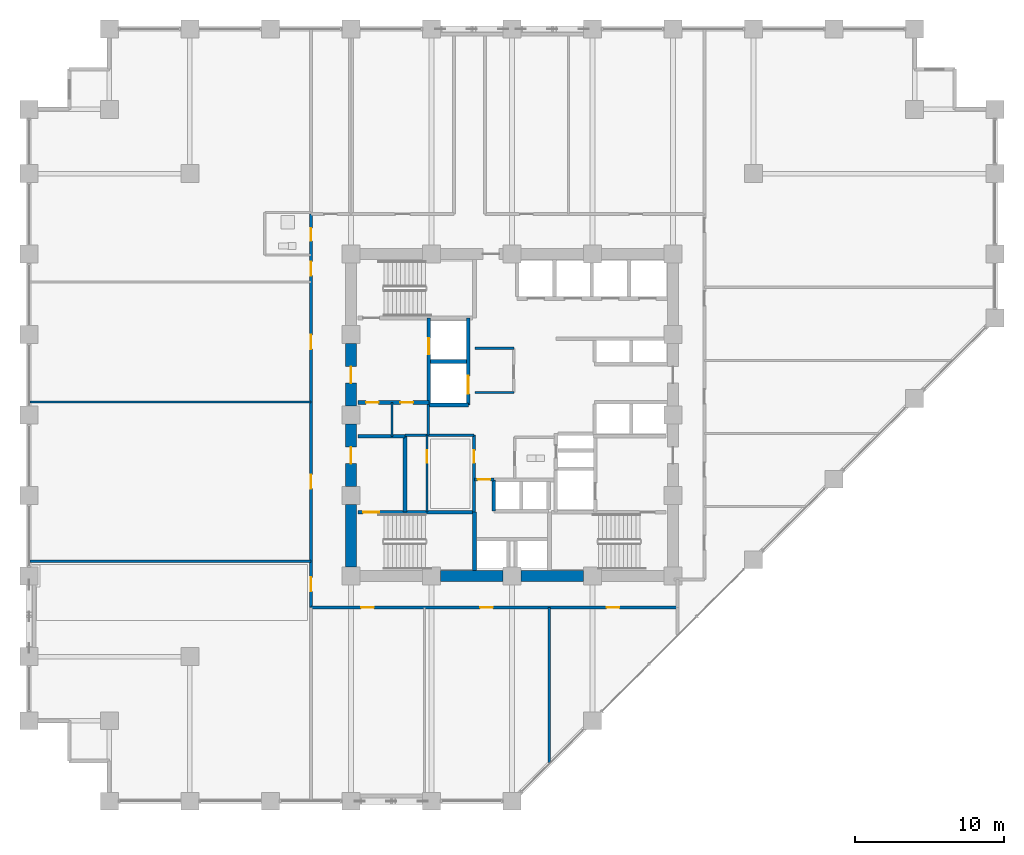
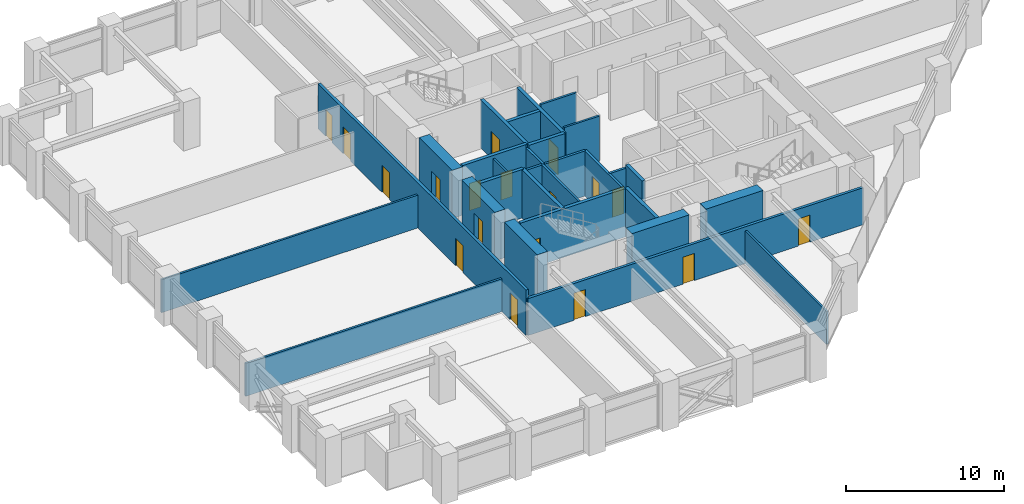
# One storey, part 20 of 26: 28 walls, 18 doors, 18 openings.
"""IFC4 building model written with IfcOpenShell, lengths in metres."""

from ifc_helpers import new_model, si_unit, direction, frame, frame_2d, origin, place, context, subcontext, project, spatial, rectangle, extrude, material, layer, layer_set, type_object, element, fill, save


model = new_model("IFC4")

# Units and contexts
model_context = context("Model", 3, precision=1e-05, world=origin(), true_north=direction((0.0, 1.0)))
body_context = subcontext(model_context, "Body", "Model", "MODEL_VIEW")
ifc_project = project(units=[si_unit("LENGTHUNIT", "METRE"), si_unit("AREAUNIT", "SQUARE_METRE"), si_unit("VOLUMEUNIT", "CUBIC_METRE"), si_unit("PLANEANGLEUNIT", "RADIAN"), si_unit("MASSUNIT", "GRAM", prefix="KILO")], contexts=[model_context])

# Site, building, storey
site_placement = place(None, origin())
site = spatial("IfcSite", under=ifc_project, at=site_placement, CompositionType="ELEMENT")
building_placement = place(site_placement, origin())
building = spatial("IfcBuilding", under=site, at=building_placement, Name="Surkhivell Harbour Commons", CompositionType="ELEMENT")
storey_placement = place(building_placement, frame((0.0, 0.0, 75.0)))
storey = spatial("IfcBuildingStorey", under=building, at=storey_placement, Name="L19", CompositionType="ELEMENT", Elevation=75.0)

# Walls
ifc_material_1 = material(Name="Concrete C60/75", Category="concrete")
ifc_layer_1 = layer(ifc_material_1, 0.75)
ifc_layer_set_1 = layer_set([ifc_layer_1], Name="Concrete C60/75")
wall_type_1 = type_object("IfcWallType", Name="WAL-CORE-750", PredefinedType="SHEAR", material=ifc_layer_set_1)
for number, where, z_axis, x_axis, name in (
    (1, (-10.800048828125, -10.18994140625, 0.0), (0.0, 0.0, 1.0), (0.0, 1.0, 0.0), "L19 Core Shear Wall West 1"),
    (2, (-4.7900390625, -10.800048828125, 0.0), (0.0, 0.0, 1.0), (1.0, 0.0, 0.0), "L19 Core Shear Wall South 2"),
):
    element("IfcWall", number, at=place(storey_placement, frame(where, z_axis=z_axis, x_axis=x_axis)), inside=storey, type_object=wall_type_1, Name=name, PredefinedType="SHEAR", context=body_context, shape_type="SweptSolid", body=[
        extrude(rectangle(XDim=4.179931640625, YDim=0.75, at=frame_2d((2.08984375, 0.0))), origin(), (0.0, 0.0, 1.0), 3.75),
    ])

# Wall, opening, door
wall_1_placement = place(storey_placement, frame((-10.800048828125, -4.7900390625, 0.0), z_axis=(0.0, 0.0, 1.0), x_axis=(0.0, 1.0, 0.0)))
wall_1 = element("IfcWall", 3, at=wall_1_placement, inside=storey, type_object=wall_type_1, Name="L19 Core Shear Wall West 2", PredefinedType="SHEAR", context=body_context, shape_type="SweptSolid", body=[
    extrude(rectangle(XDim=4.179931640625, YDim=0.75, at=frame_2d((2.08984375, 0.0))), origin(), (0.0, 0.0, 1.0), 3.75),
])
opening_1_placement = place(wall_1_placement, frame((1.5400390625, 0.0, 0.0)))
opening_1 = element("IfcOpeningElement", 4, at=opening_1_placement, cuts=wall_1, Name="Opening ID-2", PredefinedType="OPENING", context=body_context, shape_type="SweptSolid", body=[
    extrude(rectangle(XDim=1.10009765625, YDim=2.10009765625, at=frame_2d((0.550048828125, 1.050048828125))), frame((0.0, 0.385009765625, 0.0), z_axis=(0.0, -1.0, 0.0), x_axis=(1.0, 0.0, 0.0)), (0.0, 0.0, 1.0), 0.77001953125),
])
ifc_material_2 = material(Name="Hardwood-veneered fire-rated door leaf", Category="wood")
door_type_1 = type_object("IfcDoorType", Name="DOR-FD60-1100", OperationType="NOTDEFINED", PredefinedType="DOOR", material=ifc_material_2)
door_1_placement = place(opening_1_placement, origin())
door_1 = element("IfcDoor", 5, at=door_1_placement, inside=storey, type_object=door_type_1, Name="L19 Stair 3 Lobby Corridor Door", OperationType="SINGLE_SWING_LEFT", OverallHeight=2.10009765625, OverallWidth=1.10009765625, PredefinedType="DOOR", context=body_context, shape_type="SweptSolid", body=[
    extrude(rectangle(XDim=1.10009765625, YDim=2.10009765625, at=frame_2d((0.550048828125, 1.050048828125))), frame((0.0, 0.02490234375, 0.0), z_axis=(0.0, -1.0, 0.0), x_axis=(1.0, 0.0, 0.0)), (0.0, 0.0, 1.0), 0.050048828125),
])
fill(opening_1, door_1)

# Wall
wall_2_placement = place(storey_placement, frame((0.610107421875, -10.800048828125, 0.0), z_axis=(0.0, 0.0, 1.0), x_axis=(1.0, 0.0, 0.0)))
element("IfcWall", 6, at=wall_2_placement, inside=storey, type_object=wall_type_1, Name="L19 Core Shear Wall South 3", PredefinedType="SHEAR", context=body_context, shape_type="SweptSolid", body=[
    extrude(rectangle(XDim=4.179931640625, YDim=0.75, at=frame_2d((2.08984375, 0.0))), origin(), (0.0, 0.0, 1.0), 3.75),
])

# Wall, opening, door
wall_3_placement = place(storey_placement, frame((-10.800048828125, 0.610107421875, 0.0), z_axis=(0.0, 0.0, 1.0), x_axis=(0.0, 1.0, 0.0)))
wall_3 = element("IfcWall", 7, at=wall_3_placement, inside=storey, type_object=wall_type_1, Name="L19 Core Shear Wall West 3", PredefinedType="SHEAR", context=body_context, shape_type="SweptSolid", body=[
    extrude(rectangle(XDim=4.179931640625, YDim=0.75, at=frame_2d((2.08984375, 0.0))), origin(), (0.0, 0.0, 1.0), 3.75),
])
opening_2_placement = place(wall_3_placement, frame((1.5400390625, 0.0, 0.0)))
opening_2 = element("IfcOpeningElement", 8, at=opening_2_placement, cuts=wall_3, Name="Opening ID-1", PredefinedType="OPENING", context=body_context, shape_type="SweptSolid", body=[
    extrude(rectangle(XDim=1.10009765625, YDim=2.10009765625, at=frame_2d((0.550048828125, 1.050048828125))), frame((0.0, 0.385009765625, 0.0), z_axis=(0.0, -1.0, 0.0), x_axis=(1.0, 0.0, 0.0)), (0.0, 0.0, 1.0), 0.77001953125),
])
door_type_2 = type_object("IfcDoorType", Name="DOR-FD120-1100", OperationType="NOTDEFINED", PredefinedType="DOOR", material=ifc_material_2)
door_2_placement = place(opening_2_placement, origin())
door_2 = element("IfcDoor", 9, at=door_2_placement, inside=storey, type_object=door_type_2, Name="L19 Firefighting Lobby 1 Corridor Door", OperationType="SINGLE_SWING_LEFT", OverallHeight=2.10009765625, OverallWidth=1.10009765625, PredefinedType="DOOR", context=body_context, shape_type="SweptSolid", body=[
    extrude(rectangle(XDim=1.10009765625, YDim=2.10009765625, at=frame_2d((0.550048828125, 1.050048828125))), frame((0.0, 0.02490234375, 0.0), z_axis=(0.0, -1.0, 0.0), x_axis=(1.0, 0.0, 0.0)), (0.0, 0.0, 1.0), 0.050048828125),
])
fill(opening_2, door_2)

ifc_material_3 = material(Name="Twin-stud acoustic fireboard partition", Category="other")
ifc_layer_2 = layer(ifc_material_3, 0.14990234375)
ifc_layer_set_2 = layer_set([ifc_layer_2], Name="Twin-stud acoustic fireboard partition")
wall_type_2 = type_object("IfcWallType", Name="WAL-INT-150", PredefinedType="PARTITIONING", material=ifc_layer_set_2)
wall_4_placement = place(storey_placement, frame((-5.699951171875, -6.510009765625, 0.0), z_axis=(0.0, 0.0, 1.0), x_axis=(0.0, 1.0, 0.0)))
wall_4 = element("IfcWall", 10, at=wall_4_placement, inside=storey, type_object=wall_type_2, Name="L19 Core Cut B Partition", PredefinedType="PARTITIONING", context=body_context, shape_type="SweptSolid", body=[
    extrude(rectangle(XDim=5.159912109375, YDim=0.14990234375, at=frame_2d((2.580078125, 0.0))), origin(), (0.0, 0.0, 1.0), 3.5),
])
opening_3_placement = place(wall_4_placement, frame((3.300048828125, 0.0, 0.0)))
opening_3 = element("IfcOpeningElement", 11, at=opening_3_placement, cuts=wall_4, Name="Opening ID-6", PredefinedType="OPENING", context=body_context, shape_type="SweptSolid", body=[
    extrude(rectangle(XDim=0.85009765625, YDim=2.10009765625, at=frame_2d((0.425048828125, 1.050048828125))), frame((0.0, 0.0849609375, 0.0), z_axis=(0.0, -1.0, 0.0), x_axis=(1.0, 0.0, 0.0)), (0.0, 0.0, 1.0), 0.169921875),
])
door_type_3 = type_object("IfcDoorType", Name="DOR-FD30-850", OperationType="NOTDEFINED", PredefinedType="DOOR", material=ifc_material_2)
door_3_placement = place(opening_3_placement, origin())
door_3 = element("IfcDoor", 12, at=door_3_placement, inside=storey, type_object=door_type_3, Name="L19 Core Focus Study Door", OperationType="SINGLE_SWING_RIGHT", OverallHeight=2.10009765625, OverallWidth=0.85009765625, PredefinedType="DOOR", context=body_context, shape_type="SweptSolid", body=[
    extrude(rectangle(XDim=0.85009765625, YDim=2.10009765625, at=frame_2d((0.425048828125, 1.050048828125))), frame((0.0, 0.02490234375, 0.0), z_axis=(0.0, -1.0, 0.0), x_axis=(1.0, 0.0, 0.0)), (0.0, 0.0, 1.0), 0.050048828125),
])
fill(opening_3, door_3)

# Walls
wall_5_placement = place(storey_placement, frame((-8.050048828125, -1.419921875, 0.0), z_axis=(0.0, 0.0, 1.0), x_axis=(0.0, 1.0, 0.0)))
element("IfcWall", 13, at=wall_5_placement, inside=storey, type_object=wall_type_2, Name="L19 West Seminar Booth Divider", PredefinedType="PARTITIONING", context=body_context, shape_type="SweptSolid", body=[
    extrude(rectangle(XDim=2.27001953125, YDim=0.14990234375, at=frame_2d((1.135009765625, 0.0))), origin(), (0.0, 0.0, 1.0), 3.5),
])
for number, where, z_axis, x_axis, name in (
    (14, (-2.47998046875, 4.47998046875, 0.0), (0.0, 0.0, 1.0), (1.0, 0.0, 0.0), "L19 Central Reading North Wall"),
    (15, (-2.47998046875, 1.52001953125, 0.0), (0.0, 0.0, 1.0), (1.0, 0.0, 0.0), "L19 Central Reading South Wall"),
):
    element("IfcWall", number, at=place(storey_placement, frame(where, z_axis=z_axis, x_axis=x_axis)), inside=storey, type_object=wall_type_2, Name=name, PredefinedType="PARTITIONING", context=body_context, shape_type="SweptSolid", body=[
        extrude(rectangle(XDim=2.60009765625, YDim=0.14990234375, at=frame_2d((1.300048828125, 0.0))), origin(), (0.0, 0.0, 1.0), 3.5),
    ])
wall_6_placement = place(storey_placement, frame((2.5, -23.315185546875, 0.0), z_axis=(0.0, 0.0, 1.0), x_axis=(0.0, 1.0, 0.0)))
element("IfcWall", 16, at=wall_6_placement, inside=storey, type_object=wall_type_2, Name="L19 South Partition P2", PredefinedType="PARTITIONING", context=body_context, shape_type="SweptSolid", body=[
    extrude(rectangle(XDim=10.415283203125, YDim=0.14990234375, at=frame_2d((5.20751953125, 0.0))), origin(), (0.0, 0.0, 1.0), 2.552978515625),
])
for number, where, z_axis, x_axis, name in (
    (17, (-32.340087890625, 0.8798828125, 0.0), (0.0, 0.0, 1.0), (1.0, 0.0, 0.0), "L19 West Partition BDP1"),
    (18, (-32.340087890625, -9.800048828125, 0.0), (0.0, 0.0, 1.0), (1.0, 0.0, 0.0), "L19 West Partition PBOT"),
):
    element("IfcWall", number, at=place(storey_placement, frame(where, z_axis=z_axis, x_axis=x_axis)), inside=storey, type_object=wall_type_2, Name=name, PredefinedType="PARTITIONING", context=body_context, shape_type="SweptSolid", body=[
        extrude(rectangle(XDim=18.860107421875, YDim=0.14990234375, at=frame_2d((9.43017578125, 0.0))), origin(), (0.0, 0.0, 1.0), 2.552978515625),
    ])

# Wall, opening, door
ifc_material_4 = material(Name="High-density acoustic blockwork fire partition", Category="masonry")
ifc_layer_3 = layer(ifc_material_4, 0.175048828125)
ifc_layer_set_3 = layer_set([ifc_layer_3], Name="High-density acoustic blockwork fire partition")
wall_type_3 = type_object("IfcWallType", Name="WAL-INT-175", PredefinedType="PARTITIONING", material=ifc_layer_set_3)
wall_7_placement = place(storey_placement, frame((-2.550048828125, -6.510009765625, 0.0), z_axis=(0.0, 0.0, 1.0), x_axis=(0.0, 1.0, 0.0)))
wall_7 = element("IfcWall", 19, at=wall_7_placement, inside=storey, type_object=wall_type_3, Name="L19 Core Service Bay East Wall", PredefinedType="PARTITIONING", context=body_context, shape_type="SweptSolid", body=[
    extrude(rectangle(XDim=5.159912109375, YDim=0.175048828125, at=frame_2d((2.580078125, 0.0))), origin(), (0.0, 0.0, 1.0), 3.5),
])
opening_4_placement = place(wall_7_placement, frame((3.300048828125, 0.0, 0.0)))
opening_4 = element("IfcOpeningElement", 20, at=opening_4_placement, cuts=wall_7, Name="Opening ID-6", PredefinedType="OPENING", context=body_context, shape_type="SweptSolid", body=[
    extrude(rectangle(XDim=0.85009765625, YDim=2.10009765625, at=frame_2d((0.425048828125, 1.050048828125))), frame((0.0, 0.097412109375, 0.0), z_axis=(0.0, -1.0, 0.0), x_axis=(1.0, 0.0, 0.0)), (0.0, 0.0, 1.0), 0.195068359375),
])
door_4_placement = place(opening_4_placement, origin())
door_4 = element("IfcDoor", 21, at=door_4_placement, inside=storey, type_object=door_type_3, Name="L19 Core Music Door", OperationType="SINGLE_SWING_LEFT", OverallHeight=2.10009765625, OverallWidth=0.85009765625, PredefinedType="DOOR", context=body_context, shape_type="SweptSolid", body=[
    extrude(rectangle(XDim=0.85009765625, YDim=2.10009765625, at=frame_2d((0.425048828125, 1.050048828125))), frame((0.0, 0.02490234375, 0.0), z_axis=(0.0, -1.0, 0.0), x_axis=(1.0, 0.0, 0.0)), (0.0, 0.0, 1.0), 0.050048828125),
])
fill(opening_4, door_4)

# Walls
wall_8_placement = place(storey_placement, frame((-7.179931640625, -1.35009765625, 0.0), z_axis=(0.0, 0.0, 1.0), x_axis=(1.0, 0.0, 0.0)))
element("IfcWall", 22, at=wall_8_placement, inside=storey, type_object=wall_type_3, Name="L19 Core Service Bay North Wall", PredefinedType="PARTITIONING", context=body_context, shape_type="SweptSolid", body=[
    extrude(rectangle(XDim=4.6298828125, YDim=0.175048828125, at=frame_2d((2.31494140625, 0.0))), origin(), (0.0, 0.0, 1.0), 3.5),
])
wall_9_placement = place(storey_placement, frame((-5.6201171875, -1.35009765625, 0.0), z_axis=(0.0, 0.0, 1.0), x_axis=(0.0, 1.0, 0.0)))
element("IfcWall", 23, at=wall_9_placement, inside=storey, type_object=wall_type_3, Name="L19 West Core Bay East Wall", PredefinedType="PARTITIONING", context=body_context, shape_type="SweptSolid", body=[
    extrude(rectangle(XDim=2.070068359375, YDim=0.175048828125, at=frame_2d((1.03515625, 0.0))), origin(), (0.0, 0.0, 1.0), 3.5),
])

# Wall, opening, door
wall_10_placement = place(storey_placement, frame((-2.52001953125, -4.320068359375, 0.0), z_axis=(0.0, 0.0, 1.0), x_axis=(1.0, 0.0, 0.0)))
wall_10 = element("IfcWall", 24, at=wall_10_placement, inside=storey, type_object=wall_type_3, Name="L19 High-Rise Lobby North Portal Wall", PredefinedType="PARTITIONING", context=body_context, shape_type="SweptSolid", body=[
    extrude(rectangle(XDim=1.300048828125, YDim=0.175048828125, at=frame_2d((0.64990234375, 0.0))), origin(), (0.0, 0.0, 1.0), 3.5),
])
opening_5_placement = place(wall_10_placement, frame((0.219970703125, 0.0, 0.0)))
opening_5 = element("IfcOpeningElement", 25, at=opening_5_placement, cuts=wall_10, Name="Opening ID-6", PredefinedType="OPENING", context=body_context, shape_type="SweptSolid", body=[
    extrude(rectangle(XDim=0.85009765625, YDim=2.10009765625, at=frame_2d((0.425048828125, 1.050048828125))), frame((0.0, 0.097412109375, 0.0), z_axis=(0.0, -1.0, 0.0), x_axis=(1.0, 0.0, 0.0)), (0.0, 0.0, 1.0), 0.195068359375),
])
door_5_placement = place(opening_5_placement, origin())
door_5 = element("IfcDoor", 26, at=door_5_placement, inside=storey, type_object=door_type_3, Name="L19 High-Rise Lift Lobby North Door", OperationType="SINGLE_SWING_LEFT", OverallHeight=2.10009765625, OverallWidth=0.85009765625, PredefinedType="DOOR", context=body_context, shape_type="SweptSolid", body=[
    extrude(rectangle(XDim=0.85009765625, YDim=2.10009765625, at=frame_2d((0.425048828125, 1.050048828125))), frame((0.0, 0.02490234375, 0.0), z_axis=(0.0, -1.0, 0.0), x_axis=(1.0, 0.0, 0.0)), (0.0, 0.0, 1.0), 0.050048828125),
])
fill(opening_5, door_5)

# Wall, openings, doors
ifc_material_5 = material(Name="Autoclaved aerated concrete blockwork and fire plaster", Category="masonry")
ifc_layer_4 = layer(ifc_material_5, 0.199951171875)
ifc_layer_set_4 = layer_set([ifc_layer_4], Name="Autoclaved aerated concrete blockwork and fire plaster")
wall_type_4 = type_object("IfcWallType", Name="WAL-INT-200", PredefinedType="PARTITIONING", material=ifc_layer_set_4)
wall_11_placement = place(storey_placement, frame((-13.47998046875, -12.89990234375, 0.0), z_axis=(0.0, 0.0, 1.0), x_axis=(1.0, 0.0, 0.0)))
wall_11 = element("IfcWall", 27, at=wall_11_placement, inside=storey, type_object=wall_type_4, Name="L19 Corridor South Wall", PredefinedType="PARTITIONING", context=body_context, shape_type="SweptSolid", body=[
    extrude(rectangle(XDim=24.580078125, YDim=0.199951171875, at=frame_2d((12.2900390625, 0.0))), origin(), (0.0, 0.0, 1.0), 2.860107421875),
])
opening_6_placement = place(wall_11_placement, frame((3.360107421875, 0.0, 0.0)))
opening_6 = element("IfcOpeningElement", 28, at=opening_6_placement, cuts=wall_11, Name="Opening ID-6", PredefinedType="OPENING", context=body_context, shape_type="SweptSolid", body=[
    extrude(rectangle(XDim=0.85009765625, YDim=2.10009765625, at=frame_2d((0.425048828125, 1.050048828125))), frame((0.0, 0.10986328125, 0.0), z_axis=(0.0, -1.0, 0.0), x_axis=(1.0, 0.0, 0.0)), (0.0, 0.0, 1.0), 0.219970703125),
])
opening_7_placement = place(wall_11_placement, frame((11.35009765625, 0.0, 0.0)))
opening_7 = element("IfcOpeningElement", 29, at=opening_7_placement, cuts=wall_11, Name="Opening ID-6", PredefinedType="OPENING", context=body_context, shape_type="SweptSolid", body=[
    extrude(rectangle(XDim=0.85009765625, YDim=2.10009765625, at=frame_2d((0.425048828125, 1.050048828125))), frame((0.0, 0.10986328125, 0.0), z_axis=(0.0, -1.0, 0.0), x_axis=(1.0, 0.0, 0.0)), (0.0, 0.0, 1.0), 0.219970703125),
])
opening_8_placement = place(wall_11_placement, frame((19.830078125, 0.0, 0.0)))
opening_8 = element("IfcOpeningElement", 30, at=opening_8_placement, cuts=wall_11, Name="Opening ID-6", PredefinedType="OPENING", context=body_context, shape_type="SweptSolid", body=[
    extrude(rectangle(XDim=0.85009765625, YDim=2.10009765625, at=frame_2d((0.425048828125, 1.050048828125))), frame((0.0, 0.10986328125, 0.0), z_axis=(0.0, -1.0, 0.0), x_axis=(1.0, 0.0, 0.0)), (0.0, 0.0, 1.0), 0.219970703125),
])
door_6_placement = place(opening_6_placement, origin())
door_6 = element("IfcDoor", 31, at=door_6_placement, inside=storey, type_object=door_type_3, Name="L19 Harbour Espresso Cafe Shop 1 South Door", OperationType="SINGLE_SWING_LEFT", OverallHeight=2.10009765625, OverallWidth=0.85009765625, PredefinedType="DOOR", context=body_context, shape_type="SweptSolid", body=[
    extrude(rectangle(XDim=0.85009765625, YDim=2.10009765625, at=frame_2d((0.425048828125, 1.050048828125))), frame((0.0, 0.02490234375, 0.0), z_axis=(0.0, -1.0, 0.0), x_axis=(1.0, 0.0, 0.0)), (0.0, 0.0, 1.0), 0.050048828125),
])
fill(opening_6, door_6)
door_7_placement = place(opening_7_placement, origin())
door_7 = element("IfcDoor", 32, at=door_7_placement, inside=storey, type_object=door_type_3, Name="L19 Campus Bakery Cafe Shop 2 South Door", OperationType="SINGLE_SWING_RIGHT", OverallHeight=2.10009765625, OverallWidth=0.85009765625, PredefinedType="DOOR", context=body_context, shape_type="SweptSolid", body=[
    extrude(rectangle(XDim=0.85009765625, YDim=2.10009765625, at=frame_2d((0.425048828125, 1.050048828125))), frame((0.0, 0.02490234375, 0.0), z_axis=(0.0, -1.0, 0.0), x_axis=(1.0, 0.0, 0.0)), (0.0, 0.0, 1.0), 0.050048828125),
])
fill(opening_7, door_7)
door_8_placement = place(opening_8_placement, origin())
door_8 = element("IfcDoor", 33, at=door_8_placement, inside=storey, type_object=door_type_3, Name="L19 Stationery Supply Shop 3 South Door", OperationType="SINGLE_SWING_LEFT", OverallHeight=2.10009765625, OverallWidth=0.85009765625, PredefinedType="DOOR", context=body_context, shape_type="SweptSolid", body=[
    extrude(rectangle(XDim=0.85009765625, YDim=2.10009765625, at=frame_2d((0.425048828125, 1.050048828125))), frame((0.0, 0.02490234375, 0.0), z_axis=(0.0, -1.0, 0.0), x_axis=(1.0, 0.0, 0.0)), (0.0, 0.0, 1.0), 0.050048828125),
])
fill(opening_8, door_8)

wall_12_placement = place(storey_placement, frame((-13.47998046875, -12.89990234375, 0.0), z_axis=(0.0, 0.0, 1.0), x_axis=(0.0, 1.0, 0.0)))
wall_12 = element("IfcWall", 34, at=wall_12_placement, inside=storey, type_object=wall_type_4, Name="L19 Corridor West Wall", PredefinedType="PARTITIONING", context=body_context, shape_type="SweptSolid", body=[
    extrude(rectangle(XDim=26.3798828125, YDim=0.199951171875, at=frame_2d((13.18994140625, 0.0))), origin(), (0.0, 0.0, 1.0), 3.5),
])
opening_9_placement = place(wall_12_placement, frame((1.070068359375, 0.0, 0.0)))
opening_9 = element("IfcOpeningElement", 35, at=opening_9_placement, cuts=wall_12, Name="Opening ID-4", PredefinedType="OPENING", context=body_context, shape_type="SweptSolid", body=[
    extrude(rectangle(XDim=0.949951171875, YDim=2.10009765625, at=frame_2d((0.47509765625, 1.050048828125))), frame((0.0, 0.10986328125, 0.0), z_axis=(0.0, -1.0, 0.0), x_axis=(1.0, 0.0, 0.0)), (0.0, 0.0, 1.0), 0.219970703125),
])
opening_10_placement = place(wall_12_placement, frame((24.5849609375, 0.0, 0.0)))
opening_10 = element("IfcOpeningElement", 36, at=opening_10_placement, cuts=wall_12, Name="Opening ID-6", PredefinedType="OPENING", context=body_context, shape_type="SweptSolid", body=[
    extrude(rectangle(XDim=0.85009765625, YDim=2.10009765625, at=frame_2d((0.425048828125, 1.050048828125))), frame((0.0, 0.10986328125, 0.0), z_axis=(0.0, -1.0, 0.0), x_axis=(1.0, 0.0, 0.0)), (0.0, 0.0, 1.0), 0.219970703125),
])
opening_11_placement = place(wall_12_placement, frame((22.25, 0.0, 0.0)))
opening_11 = element("IfcOpeningElement", 37, at=opening_11_placement, cuts=wall_12, Name="Opening ID-4", PredefinedType="OPENING", context=body_context, shape_type="SweptSolid", body=[
    extrude(rectangle(XDim=0.949951171875, YDim=2.10009765625, at=frame_2d((0.47509765625, 1.050048828125))), frame((0.0, 0.10986328125, 0.0), z_axis=(0.0, -1.0, 0.0), x_axis=(1.0, 0.0, 0.0)), (0.0, 0.0, 1.0), 0.219970703125),
])
opening_12_placement = place(wall_12_placement, frame((7.9599609375, 0.0, 0.0)))
opening_12 = element("IfcOpeningElement", 38, at=opening_12_placement, cuts=wall_12, Name="Opening ID-4", PredefinedType="OPENING", context=body_context, shape_type="SweptSolid", body=[
    extrude(rectangle(XDim=0.949951171875, YDim=2.10009765625, at=frame_2d((0.47509765625, 1.050048828125))), frame((0.0, 0.10986328125, 0.0), z_axis=(0.0, -1.0, 0.0), x_axis=(1.0, 0.0, 0.0)), (0.0, 0.0, 1.0), 0.219970703125),
])
opening_13_placement = place(wall_12_placement, frame((17.324951171875, 0.0, 0.0)))
opening_13 = element("IfcOpeningElement", 39, at=opening_13_placement, cuts=wall_12, Name="Opening ID-4", PredefinedType="OPENING", context=body_context, shape_type="SweptSolid", body=[
    extrude(rectangle(XDim=0.949951171875, YDim=2.10009765625, at=frame_2d((0.47509765625, 1.050048828125))), frame((0.0, 0.10986328125, 0.0), z_axis=(0.0, -1.0, 0.0), x_axis=(1.0, 0.0, 0.0)), (0.0, 0.0, 1.0), 0.219970703125),
])
door_9_placement = place(opening_10_placement, origin())
door_9 = element("IfcDoor", 40, at=door_9_placement, inside=storey, type_object=door_type_3, Name="L19 Communal Shower Bathroom West Door", OperationType="SINGLE_SWING_RIGHT", OverallHeight=2.10009765625, OverallWidth=0.85009765625, PredefinedType="DOOR", context=body_context, shape_type="SweptSolid", body=[
    extrude(rectangle(XDim=0.85009765625, YDim=2.10009765625, at=frame_2d((0.425048828125, 1.050048828125))), frame((0.0, 0.02490234375, 0.0), z_axis=(0.0, -1.0, 0.0), x_axis=(1.0, 0.0, 0.0)), (0.0, 0.0, 1.0), 0.050048828125),
])
fill(opening_10, door_9)
door_type_4 = type_object("IfcDoorType", Name="DOR-FD60-950", OperationType="NOTDEFINED", PredefinedType="DOOR", material=ifc_material_2)
door_10_placement = place(opening_9_placement, origin())
door_10 = element("IfcDoor", 41, at=door_10_placement, inside=storey, type_object=door_type_4, Name="L19 Shared Communal Kitchen West Door", OperationType="SINGLE_SWING_LEFT", OverallHeight=2.10009765625, OverallWidth=0.949951171875, PredefinedType="DOOR", context=body_context, shape_type="SweptSolid", body=[
    extrude(rectangle(XDim=0.949951171875, YDim=2.10009765625, at=frame_2d((0.47509765625, 1.050048828125))), frame((0.0, 0.02490234375, 0.0), z_axis=(0.0, -1.0, 0.0), x_axis=(1.0, 0.0, 0.0)), (0.0, 0.0, 1.0), 0.050048828125),
])
fill(opening_9, door_10)
door_11_placement = place(opening_11_placement, origin())
door_11 = element("IfcDoor", 42, at=door_11_placement, inside=storey, type_object=door_type_4, Name="L19 Academic Reading Commons West Door", OperationType="SINGLE_SWING_LEFT", OverallHeight=2.10009765625, OverallWidth=0.949951171875, PredefinedType="DOOR", context=body_context, shape_type="SweptSolid", body=[
    extrude(rectangle(XDim=0.949951171875, YDim=2.10009765625, at=frame_2d((0.47509765625, 1.050048828125))), frame((0.0, 0.02490234375, 0.0), z_axis=(0.0, -1.0, 0.0), x_axis=(1.0, 0.0, 0.0)), (0.0, 0.0, 1.0), 0.050048828125),
])
fill(opening_11, door_11)
door_12_placement = place(opening_12_placement, origin())
door_12 = element("IfcDoor", 43, at=door_12_placement, inside=storey, type_object=door_type_4, Name="L19 Hostel Cluster Bedroom 1 West Door", OperationType="SINGLE_SWING_RIGHT", OverallHeight=2.10009765625, OverallWidth=0.949951171875, PredefinedType="DOOR", context=body_context, shape_type="SweptSolid", body=[
    extrude(rectangle(XDim=0.949951171875, YDim=2.10009765625, at=frame_2d((0.47509765625, 1.050048828125))), frame((0.0, 0.02490234375, 0.0), z_axis=(0.0, -1.0, 0.0), x_axis=(1.0, 0.0, 0.0)), (0.0, 0.0, 1.0), 0.050048828125),
])
fill(opening_12, door_12)
door_13_placement = place(opening_13_placement, origin())
door_13 = element("IfcDoor", 44, at=door_13_placement, inside=storey, type_object=door_type_4, Name="L19 Co-Living Dormitory Bedroom 2 West Door", OperationType="SINGLE_SWING_LEFT", OverallHeight=2.10009765625, OverallWidth=0.949951171875, PredefinedType="DOOR", context=body_context, shape_type="SweptSolid", body=[
    extrude(rectangle(XDim=0.949951171875, YDim=2.10009765625, at=frame_2d((0.47509765625, 1.050048828125))), frame((0.0, 0.02490234375, 0.0), z_axis=(0.0, -1.0, 0.0), x_axis=(1.0, 0.0, 0.0)), (0.0, 0.0, 1.0), 0.050048828125),
])
fill(opening_13, door_13)

# Wall, opening, door
ifc_material_6 = material(Name="Concrete C50/60", Category="concrete")
ifc_layer_5 = layer(ifc_material_6, 0.25)
ifc_layer_set_5 = layer_set([ifc_layer_5], Name="Concrete C50/60")
wall_type_5 = type_object("IfcWallType", Name="WAL-SHAFT-250", PredefinedType="SHEAR", material=ifc_layer_set_5)
wall_13_placement = place(storey_placement, frame((-5.580078125, 0.719970703125, 0.0), z_axis=(0.0, 0.0, 1.0), x_axis=(0.0, 1.0, 0.0)))
wall_13 = element("IfcWall", 45, at=wall_13_placement, inside=storey, type_object=wall_type_5, Name="L19 Firefighting Lobby 1 East Shaft Wall", PredefinedType="SHEAR", context=body_context, shape_type="SweptSolid", body=[
    extrude(rectangle(XDim=5.7900390625, YDim=0.25, at=frame_2d((2.89501953125, 0.0))), origin(), (0.0, 0.0, 1.0), 3.75),
])
opening_14_placement = place(wall_13_placement, frame((3.35009765625, 0.0, 0.0)))
opening_14 = element("IfcOpeningElement", 46, at=opening_14_placement, cuts=wall_13, Name="Opening LD-1", PredefinedType="OPENING", context=body_context, shape_type="SweptSolid", body=[
    extrude(rectangle(XDim=1.10009765625, YDim=2.10009765625, at=frame_2d((0.550048828125, 1.050048828125))), frame((0.0, 0.135009765625, 0.0), z_axis=(0.0, -1.0, 0.0), x_axis=(1.0, 0.0, 0.0)), (0.0, 0.0, 1.0), 0.27001953125),
])
ifc_material_7 = material(Name="Brushed stainless steel S355", Category="steel")
door_type_5 = type_object("IfcDoorType", Name="DOR-LD-1100", OperationType="SLIDING_TO_LEFT", PredefinedType="DOOR", material=ifc_material_7)
door_14_placement = place(opening_14_placement, origin())
door_14 = element("IfcDoor", 47, at=door_14_placement, inside=storey, type_object=door_type_5, Name="L19 Lift Landing Door LD-FFL1", OperationType="SLIDING_TO_LEFT", OverallHeight=2.10009765625, OverallWidth=1.10009765625, PredefinedType="DOOR", context=body_context, shape_type="SweptSolid", body=[
    extrude(rectangle(XDim=1.10009765625, YDim=2.10009765625, at=frame_2d((0.550048828125, 1.050048828125))), frame((0.0, 0.02490234375, 0.0), z_axis=(0.0, -1.0, 0.0), x_axis=(1.0, 0.0, 0.0)), (0.0, 0.0, 1.0), 0.050048828125),
])
fill(opening_14, door_14)

# Wall, openings, doors
wall_14_placement = place(storey_placement, frame((-10.340087890625, 0.85009765625, 0.0), z_axis=(0.0, 0.0, 1.0), x_axis=(1.0, 0.0, 0.0)))
wall_14 = element("IfcWall", 48, at=wall_14_placement, inside=storey, type_object=wall_type_5, Name="L19 Firefighting Lobby 1 South Wall", PredefinedType="SHEAR", context=body_context, shape_type="SweptSolid", body=[
    extrude(rectangle(XDim=4.760009765625, YDim=0.25, at=frame_2d((2.3798828125, 0.0))), origin(), (0.0, 0.0, 1.0), 3.75),
])
opening_15_placement = place(wall_14_placement, frame((0.550048828125, 0.0, 0.0)))
opening_15 = element("IfcOpeningElement", 49, at=opening_15_placement, cuts=wall_14, Name="Opening ID-6", PredefinedType="OPENING", context=body_context, shape_type="SweptSolid", body=[
    extrude(rectangle(XDim=0.85009765625, YDim=2.10009765625, at=frame_2d((0.425048828125, 1.050048828125))), frame((0.0, 0.135009765625, 0.0), z_axis=(0.0, -1.0, 0.0), x_axis=(1.0, 0.0, 0.0)), (0.0, 0.0, 1.0), 0.27001953125),
])
opening_16_placement = place(wall_14_placement, frame((2.85009765625, 0.0, 0.0)))
opening_16 = element("IfcOpeningElement", 50, at=opening_16_placement, cuts=wall_14, Name="Opening ID-6", PredefinedType="OPENING", context=body_context, shape_type="SweptSolid", body=[
    extrude(rectangle(XDim=0.85009765625, YDim=2.10009765625, at=frame_2d((0.425048828125, 1.050048828125))), frame((0.0, 0.135009765625, 0.0), z_axis=(0.0, -1.0, 0.0), x_axis=(1.0, 0.0, 0.0)), (0.0, 0.0, 1.0), 0.27001953125),
])
door_15_placement = place(opening_15_placement, origin())
door_15 = element("IfcDoor", 51, at=door_15_placement, inside=storey, type_object=door_type_3, Name="L19 West Seminar 1 Door", OperationType="SINGLE_SWING_LEFT", OverallHeight=2.10009765625, OverallWidth=0.85009765625, PredefinedType="DOOR", context=body_context, shape_type="SweptSolid", body=[
    extrude(rectangle(XDim=0.85009765625, YDim=2.10009765625, at=frame_2d((0.425048828125, 1.050048828125))), frame((0.0, 0.02490234375, 0.0), z_axis=(0.0, -1.0, 0.0), x_axis=(1.0, 0.0, 0.0)), (0.0, 0.0, 1.0), 0.050048828125),
])
fill(opening_15, door_15)
door_16_placement = place(opening_16_placement, origin())
door_16 = element("IfcDoor", 52, at=door_16_placement, inside=storey, type_object=door_type_3, Name="L19 West Seminar 2 Door", OperationType="SINGLE_SWING_RIGHT", OverallHeight=2.10009765625, OverallWidth=0.85009765625, PredefinedType="DOOR", context=body_context, shape_type="SweptSolid", body=[
    extrude(rectangle(XDim=0.85009765625, YDim=2.10009765625, at=frame_2d((0.425048828125, 1.050048828125))), frame((0.0, 0.02490234375, 0.0), z_axis=(0.0, -1.0, 0.0), x_axis=(1.0, 0.0, 0.0)), (0.0, 0.0, 1.0), 0.050048828125),
])
fill(opening_16, door_16)

# Walls
wall_15_placement = place(storey_placement, frame((-1.219970703125, -6.43994140625, 0.0), z_axis=(0.0, 0.0, 1.0), x_axis=(0.0, 1.0, 0.0)))
element("IfcWall", 53, at=wall_15_placement, inside=storey, type_object=wall_type_5, Name="L19 High-Rise Passage East Shaft Wall", PredefinedType="SHEAR", context=body_context, shape_type="SweptSolid", body=[
    extrude(rectangle(XDim=2.079833984375, YDim=0.25, at=frame_2d((1.0400390625, 0.0))), origin(), (0.0, 0.0, 1.0), 3.75),
])
wall_16_placement = place(storey_placement, frame((-2.510009765625, -10.425048828125, 0.0), z_axis=(0.0, 0.0, 1.0), x_axis=(0.0, 1.0, 0.0)))
element("IfcWall", 54, at=wall_16_placement, inside=storey, type_object=wall_type_5, Name="L19 Stair ST3 East Shear Wall", PredefinedType="SHEAR", context=body_context, shape_type="SweptSolid", body=[
    extrude(rectangle(XDim=3.9150390625, YDim=0.25, at=frame_2d((1.95751953125, 0.0))), origin(), (0.0, 0.0, 1.0), 3.75),
])
wall_17_placement = place(storey_placement, frame((-7.179931640625, -6.510009765625, 0.0), z_axis=(0.0, 0.0, 1.0), x_axis=(0.0, 1.0, 0.0)))
element("IfcWall", 55, at=wall_17_placement, inside=storey, type_object=wall_type_5, Name="L19 Stair 3 Lobby East Wall", PredefinedType="SHEAR", context=body_context, shape_type="SweptSolid", body=[
    extrude(rectangle(XDim=5.090087890625, YDim=0.25, at=frame_2d((2.544921875, 0.0))), origin(), (0.0, 0.0, 1.0), 3.75),
])
wall_18_placement = place(storey_placement, frame((-10.340087890625, -1.419921875, 0.0), z_axis=(0.0, 0.0, 1.0), x_axis=(1.0, 0.0, 0.0)))
element("IfcWall", 56, at=wall_18_placement, inside=storey, type_object=wall_type_5, Name="L19 Stair 3 Lobby North Wall", PredefinedType="SHEAR", context=body_context, shape_type="SweptSolid", body=[
    extrude(rectangle(XDim=3.16015625, YDim=0.25, at=frame_2d((1.580078125, 0.0))), origin(), (0.0, 0.0, 1.0), 3.75),
])

# Wall, opening, door
wall_19_placement = place(storey_placement, frame((-10.340087890625, -6.510009765625, 0.0), z_axis=(0.0, 0.0, 1.0), x_axis=(1.0, 0.0, 0.0)))
wall_19 = element("IfcWall", 57, at=wall_19_placement, inside=storey, type_object=wall_type_5, Name="L19 Stair ST3 North Shear Wall", PredefinedType="SHEAR", context=body_context, shape_type="SweptSolid", body=[
    extrude(rectangle(XDim=7.7001953125, YDim=0.25, at=frame_2d((3.85009765625, 0.0))), origin(), (0.0, 0.0, 1.0), 3.75),
])
opening_17_placement = place(wall_19_placement, frame((0.35009765625, 0.0, 0.0)))
opening_17 = element("IfcOpeningElement", 58, at=opening_17_placement, cuts=wall_19, Name="Opening ID-2", PredefinedType="OPENING", context=body_context, shape_type="SweptSolid", body=[
    extrude(rectangle(XDim=1.10009765625, YDim=2.10009765625, at=frame_2d((0.550048828125, 1.050048828125))), frame((0.0, 0.135009765625, 0.0), z_axis=(0.0, -1.0, 0.0), x_axis=(1.0, 0.0, 0.0)), (0.0, 0.0, 1.0), 0.27001953125),
])
door_17_placement = place(opening_17_placement, origin())
door_17 = element("IfcDoor", 59, at=door_17_placement, inside=storey, type_object=door_type_1, Name="L19 Stair ST3 Exit Door", OperationType="SINGLE_SWING_RIGHT", OverallHeight=2.10009765625, OverallWidth=1.10009765625, PredefinedType="DOOR", context=body_context, shape_type="SweptSolid", body=[
    extrude(rectangle(XDim=1.10009765625, YDim=2.10009765625, at=frame_2d((0.550048828125, 1.050048828125))), frame((0.0, 0.02490234375, 0.0), z_axis=(0.0, -1.0, 0.0), x_axis=(1.0, 0.0, 0.0)), (0.0, 0.0, 1.0), 0.050048828125),
])
fill(opening_17, door_17)

wall_20_placement = place(storey_placement, frame((-2.929931640625, 0.679931640625, 0.0), z_axis=(0.0, 0.0, 1.0), x_axis=(0.0, 1.0, 0.0)))
wall_20 = element("IfcWall", 60, at=wall_20_placement, inside=storey, type_object=wall_type_5, Name="L19 Service and Fire Lift East Shaft Wall", PredefinedType="SHEAR", context=body_context, shape_type="SweptSolid", body=[
    extrude(rectangle(XDim=5.830078125, YDim=0.25, at=frame_2d((2.9150390625, 0.0))), origin(), (0.0, 0.0, 1.0), 3.75),
])
opening_18_placement = place(wall_20_placement, frame((0.75, 0.0, 0.0)))
opening_18 = element("IfcOpeningElement", 61, at=opening_18_placement, cuts=wall_20, Name="Opening LD-2", PredefinedType="OPENING", context=body_context, shape_type="SweptSolid", body=[
    extrude(rectangle(XDim=1.199951171875, YDim=2.10009765625, at=frame_2d((0.60009765625, 1.050048828125))), frame((0.0, 0.135009765625, 0.0), z_axis=(0.0, -1.0, 0.0), x_axis=(1.0, 0.0, 0.0)), (0.0, 0.0, 1.0), 0.27001953125),
])
door_type_6 = type_object("IfcDoorType", Name="DOR-LD-1200", OperationType="SLIDING_TO_LEFT", PredefinedType="DOOR", material=ifc_material_7)
door_18_placement = place(opening_18_placement, origin())
door_18 = element("IfcDoor", 62, at=door_18_placement, inside=storey, type_object=door_type_6, Name="L19 Lift Landing Door LD-SVL1", OperationType="SLIDING_TO_LEFT", OverallHeight=2.10009765625, OverallWidth=1.199951171875, PredefinedType="DOOR", context=body_context, shape_type="SweptSolid", body=[
    extrude(rectangle(XDim=1.199951171875, YDim=2.10009765625, at=frame_2d((0.60009765625, 1.050048828125))), frame((0.0, 0.02490234375, 0.0), z_axis=(0.0, -1.0, 0.0), x_axis=(1.0, 0.0, 0.0)), (0.0, 0.0, 1.0), 0.050048828125),
])
fill(opening_18, door_18)

# Walls
wall_21_placement = place(storey_placement, frame((-5.449951171875, 3.60009765625, 0.0), z_axis=(0.0, 0.0, 1.0), x_axis=(1.0, 0.0, 0.0)))
element("IfcWall", 63, at=wall_21_placement, inside=storey, type_object=wall_type_5, Name="L19 FFL1/SVL1 Shaft Divider", PredefinedType="SHEAR", context=body_context, shape_type="SweptSolid", body=[
    extrude(rectangle(XDim=2.389892578125, YDim=0.25, at=frame_2d((1.19482421875, 0.0))), origin(), (0.0, 0.0, 1.0), 3.75),
])
wall_22_placement = place(storey_placement, frame((-5.580078125, 0.679931640625, 0.0), z_axis=(0.0, 0.0, 1.0), x_axis=(1.0, 0.0, 0.0)))
element("IfcWall", 64, at=wall_22_placement, inside=storey, type_object=wall_type_5, Name="L19 SVL1 South Shaft Wall", PredefinedType="SHEAR", context=body_context, shape_type="SweptSolid", body=[
    extrude(rectangle(XDim=2.650146484375, YDim=0.25, at=frame_2d((1.3251953125, 0.0))), origin(), (0.0, 0.0, 1.0), 3.75),
])

save(model, "model.ifc")
